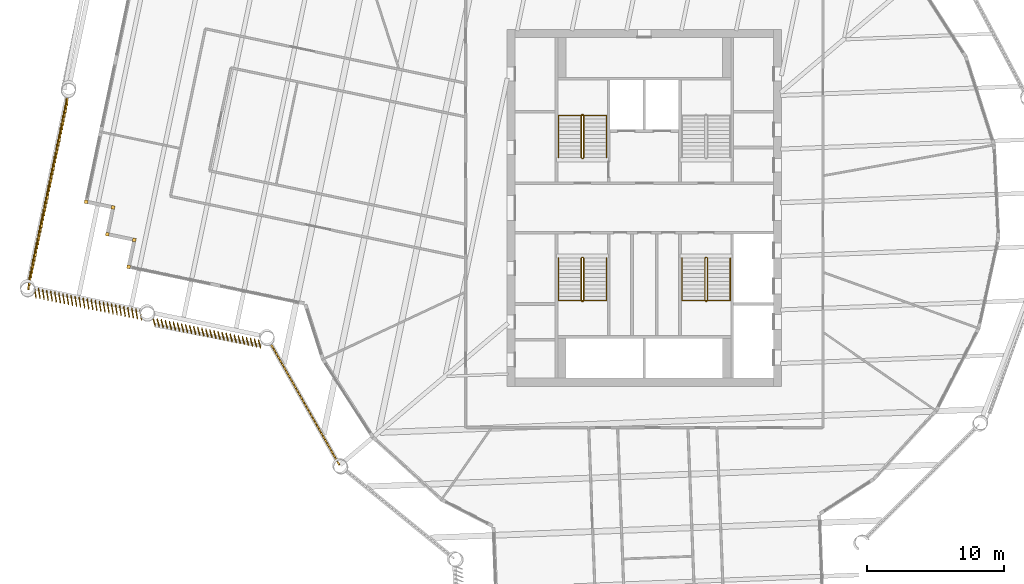
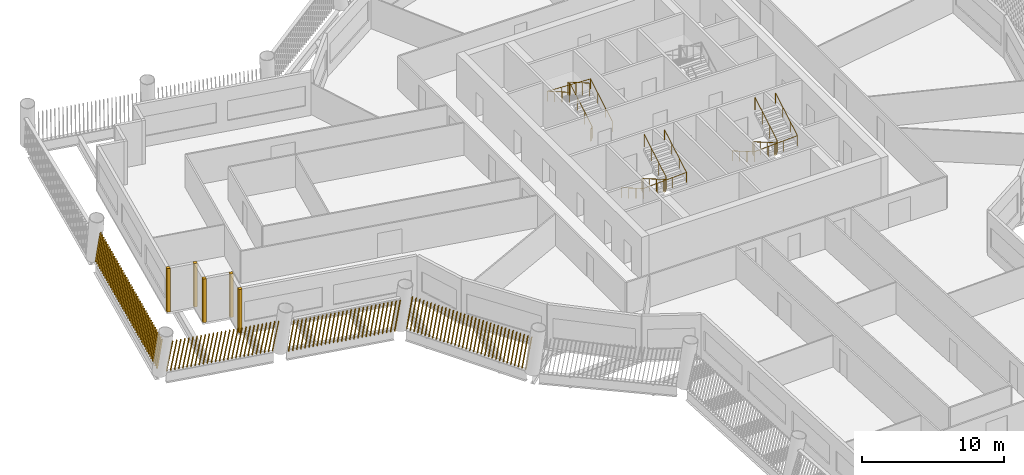
# One storey, part 11 of 14: 9 shading devices, 6 railings.
"""IFC4 building model written with IfcOpenShell, lengths in metres."""

import ifcopenshell
import ifcopenshell.guid

model = None  # the IFC model being written
_history = None  # IfcOwnerHistory: only IFC2X3 demands one
_inside = {}  # id of a spatial element -> (the spatial element, [elements in it])
_under = {}  # id of a project, library or spatial element -> (it, [spatial elements below it])
_declared = {}  # id of a project -> (the project, [libraries it declares])
_typed = {}  # id of a type object -> (the type object, [elements of that type])
_made_of = {}  # id of a material, layer set ... -> (it, [elements and type objects made of it])


def new_model(schema):
    """Start an empty IFC model of exactly this schema.

    Asked for "IFC4X3", IfcOpenShell would pick the latest addendum, in which some entities
    have other attributes; the version numbers below select the first issue.
    IFC2X3 requires an IfcOwnerHistory on every rooted entity: one is made here for all.
    """
    global model, _history
    if schema == "IFC4X3":
        model = ifcopenshell.file(schema_version=(4, 3, 0, 0))
    else:
        model = ifcopenshell.file(schema=schema)
    _inside.clear()
    _under.clear()
    _declared.clear()
    _typed.clear()
    _made_of.clear()
    _history = None
    if model.schema == "IFC2X3":
        org = make("IfcOrganization", Name="unknown")
        user = make(
            "IfcPersonAndOrganization",
            ThePerson=make("IfcPerson", FamilyName="unknown"),
            TheOrganization=org,
        )
        app = make(
            "IfcApplication",
            ApplicationDeveloper=org,
            Version="unknown",
            ApplicationFullName="unknown",
            ApplicationIdentifier="unknown",
        )
        _history = make(
            "IfcOwnerHistory",
            OwningUser=user,
            OwningApplication=app,
            ChangeAction="ADDED",
            CreationDate=0,
        )
    return model


def make(cls, **values):
    """One entity of the class cls with the attributes given. An attribute that is None is left unset."""
    return model.create_entity(
        cls, **{name: value for name, value in values.items() if value is not None}
    )


def rooted(cls, **values):
    """An entity with a GlobalId (a new one), such as an element, a storey or a relation."""
    return make(cls, GlobalId=ifcopenshell.guid.new(), OwnerHistory=_history, **values)


def si_unit(unit_type, name, prefix=None):
    """IfcSIUnit, for example si_unit("LENGTHUNIT", "METRE", prefix="MILLI")."""
    return make("IfcSIUnit", UnitType=unit_type, Prefix=prefix, Name=name)


def assignment(units):
    """IfcUnitAssignment: the units of a project."""
    return None if units is None else make("IfcUnitAssignment", Units=units)


def point(xyz):
    """IfcCartesianPoint."""
    return None if xyz is None else make("IfcCartesianPoint", Coordinates=xyz)


def direction(xyz):
    """IfcDirection."""
    return None if xyz is None else make("IfcDirection", DirectionRatios=xyz)


def frame(location, z_axis=None, x_axis=None):
    """IfcAxis2Placement3D, a coordinate frame: its origin and axes. An axis left out is left unset."""
    return make(
        "IfcAxis2Placement3D",
        Location=point(location),
        Axis=direction(z_axis),
        RefDirection=direction(x_axis),
    )


def frame_2d(location, x_axis=None):
    """IfcAxis2Placement2D, a coordinate frame in the plane: its origin and x axis."""
    return make(
        "IfcAxis2Placement2D", Location=point(location), RefDirection=direction(x_axis)
    )


def origin():
    """The frame at (0, 0, 0) with its axes left unset."""
    return frame((0.0, 0.0, 0.0))


def origin_2d():
    """The frame at (0, 0) in the plane with its x axis left unset."""
    return frame_2d((0.0, 0.0))


def place(relative_to, where):
    """IfcLocalPlacement: puts the frame where relative to a parent placement (None: the world)."""
    return make(
        "IfcLocalPlacement", PlacementRelTo=relative_to, RelativePlacement=where
    )


def context(
    kind, dimensions, precision=None, world=None, true_north=None, identifier=None
):
    """IfcGeometricRepresentationContext, for example the 3D "Model" context."""
    return make(
        "IfcGeometricRepresentationContext",
        ContextIdentifier=identifier,
        ContextType=kind,
        CoordinateSpaceDimension=dimensions,
        Precision=precision,
        WorldCoordinateSystem=world,
        TrueNorth=true_north,
    )


def subcontext(parent, identifier, kind, view, scale=None):
    """IfcGeometricRepresentationSubContext, for example "Body" below "Model"."""
    return make(
        "IfcGeometricRepresentationSubContext",
        ContextIdentifier=identifier,
        ContextType=kind,
        ParentContext=parent,
        TargetScale=scale,
        TargetView=view,
    )


def project(units=None, contexts=None):
    """IfcProject with its units and contexts."""
    return rooted(
        "IfcProject",
        Name="project",
        RepresentationContexts=contexts,
        UnitsInContext=assignment(units),
    )


def spatial(cls, under=None, at=None, **own):
    """A site, building, storey or space (cls), placed at a placement, below another one or the project."""
    s = rooted(cls, ObjectPlacement=at, **own)
    if under is not None:
        _under.setdefault(under.id(), (under, []))[1].append(s)
    return s


def profile(cls, at=None, kind="AREA", **sizes):
    """A parametric profile (cls). Its sizes go by their IFC names, for example OverallWidth=200.0."""
    return make(cls, ProfileType=kind, Position=at, **sizes)


def rectangle(**sizes):
    """IfcRectangleProfileDef."""
    return profile("IfcRectangleProfileDef", **sizes)


def circle(**sizes):
    """IfcCircleProfileDef."""
    return profile("IfcCircleProfileDef", **sizes)


def composite_profile(profiles, kind="AREA"):
    """IfcCompositeProfileDef: several profiles as one."""
    return make("IfcCompositeProfileDef", ProfileType=kind, Profiles=profiles)


def extrude(swept, where, along, depth):
    """IfcExtrudedAreaSolid: the profile swept, set in the frame where, extruded along a direction by depth."""
    return make(
        "IfcExtrudedAreaSolid",
        SweptArea=swept,
        Position=where,
        ExtrudedDirection=direction(along),
        Depth=depth,
    )


def shape(context_of_items, identifier, shape_type, items):
    """IfcShapeRepresentation: the items that make up one representation, for example the "Body"."""
    return make(
        "IfcShapeRepresentation",
        ContextOfItems=context_of_items,
        RepresentationIdentifier=identifier,
        RepresentationType=shape_type,
        Items=items,
    )


def material(Name=None, Category=None):
    """IfcMaterial."""
    return make("IfcMaterial", Name=Name, Category=Category)


def made_of(thing, what):
    """Note that an element or type object is made of a material, layer set ...; save() writes the relation."""
    if what is not None:
        _made_of.setdefault(what.id(), (what, []))[1].append(thing)
    return thing


def type_object(cls, material=None, **own):
    """A type object (cls), such as IfcWallType, which elements share."""
    return made_of(rooted(cls, **own), material)


def element(
    cls,
    number,
    at=None,
    inside=None,
    cuts=None,
    type_object=None,
    material=None,
    context=None,
    identifier="Body",
    shape_type=None,
    held_by="IfcProductDefinitionShape",
    body=None,
    shapes=None,
    **own,
):
    """One element of the class cls, such as IfcWall. Its Tag is "e" and its number.

    at: its placement. inside: the storey or other place that contains it. cuts: it is an
    opening in that element (IfcRelVoidsElement). A single representation is given by context,
    identifier, shape_type and body (its items); several are given by shapes. held_by: the class
    of the entity that holds the representations. save() writes the other relations.
    """
    e = rooted(cls, Tag="e%d" % number, ObjectPlacement=at, **own)
    if body is not None:
        shapes = [shape(context, identifier, shape_type, body)]
    if shapes is not None:
        e.Representation = make(held_by, Representations=shapes)
    if inside is not None:
        _inside.setdefault(inside.id(), (inside, []))[1].append(e)
    if cuts is not None:
        rooted(
            "IfcRelVoidsElement", RelatingBuildingElement=cuts, RelatedOpeningElement=e
        )
    if type_object is not None:
        _typed.setdefault(type_object.id(), (type_object, []))[1].append(e)
    return made_of(e, material)


def aggregate(whole, parts):
    """IfcRelAggregates: a whole, such as a stair, and the parts it consists of."""
    return rooted("IfcRelAggregates", RelatingObject=whole, RelatedObjects=parts)


def save(model, path):
    """Write the relations noted so far, then the file.

    IfcRelAggregates (storeys below a building ...), IfcRelContainedInSpatialStructure (elements
    in a storey), IfcRelDefinesByType, IfcRelAssociatesMaterial and IfcRelDeclares: one each for
    every whole, place, type object, material and project.
    """
    for whole, parts in _under.values():
        aggregate(whole, parts)
    for where, things in _inside.values():
        rooted(
            "IfcRelContainedInSpatialStructure",
            RelatedElements=things,
            RelatingStructure=where,
        )
    for kind, things in _typed.values():
        rooted("IfcRelDefinesByType", RelatedObjects=things, RelatingType=kind)
    for what, things in _made_of.values():
        rooted("IfcRelAssociatesMaterial", RelatedObjects=things, RelatingMaterial=what)
    for by, libraries in _declared.values():
        rooted("IfcRelDeclares", RelatingContext=by, RelatedDefinitions=libraries)
    model.write(path)


model = new_model("IFC4")

# Units and contexts
model_context = context("Model", 3, precision=1e-05, world=origin(), true_north=direction((0.0, 1.0)))
body_context = subcontext(model_context, "Body", "Model", "MODEL_VIEW")
ifc_project = project(units=[si_unit("LENGTHUNIT", "METRE"), si_unit("AREAUNIT", "SQUARE_METRE"), si_unit("VOLUMEUNIT", "CUBIC_METRE"), si_unit("PLANEANGLEUNIT", "RADIAN"), si_unit("MASSUNIT", "GRAM", prefix="KILO")], contexts=[model_context])

# Site, building, storey
site_placement = place(None, origin())
site = spatial("IfcSite", under=ifc_project, at=site_placement, CompositionType="ELEMENT")
building_placement = place(site_placement, origin())
building = spatial("IfcBuilding", under=site, at=building_placement, Name="Tarsis Ring Headquarters", CompositionType="ELEMENT")
storey_placement = place(building_placement, frame((0.0, 0.0, 235.5)))
storey = spatial("IfcBuildingStorey", under=building, at=storey_placement, Name="L55", CompositionType="ELEMENT", Elevation=235.5)

# Railings
ifc_material_1 = material(Name="Steel S355", Category="steel")
railing_type_1 = type_object("IfcRailingType", Name="Core stair guard 1100", PredefinedType="GUARDRAIL", material=ifc_material_1)
railing_1_placement = place(storey_placement, frame((-4.5400390625, 3.610107421875, 0.0)))
element("IfcRailing", 1, at=railing_1_placement, inside=storey, type_object=railing_type_1, Name="L55 ST1 stair guard 1", PredefinedType="GUARDRAIL", context=body_context, shape_type="SweptSolid", body=[
    extrude(circle(Radius=0.02392578125, at=origin_2d()), frame((0.0, 0.0, 1.076171875), z_axis=(1.0, 0.0, 0.0), x_axis=(0.0, 1.0, 0.0)), (0.0, 0.0, 1.0), 0.080078125),
    extrude(circle(Radius=0.02392578125, at=origin_2d()), frame((0.080078125, 0.0, 1.076171875), z_axis=(0.282336740067, 0.280959487676, 0.917250092119), x_axis=(-0.705375805398, 0.708833529934, 0.0)), (0.0, 0.0, 1.0), 0.17724609375),
    extrude(circle(Radius=0.02392578125, at=origin_2d()), frame((0.130126953125, 0.0498046875, 1.23876953125), z_axis=(0.0, 0.864920483161, 0.501908913857), x_axis=(-1.0, 0.0, 0.0)), (0.0, 0.0, 1.0), 3.56103515625),
    extrude(circle(Radius=0.02392578125, at=origin_2d()), frame((0.130126953125, 3.1298828125, 3.02587890625), z_axis=(-0.707106781187, 0.707106781187, 0.0), x_axis=(-0.707106781187, -0.707106781187, 0.0)), (0.0, 0.0, 1.0), 0.07080078125),
    extrude(circle(Radius=0.02392578125, at=origin_2d()), frame((0.080078125, 3.179931640625, 3.02587890625), z_axis=(-1.0, 0.0, 0.0), x_axis=(0.0, -1.0, 0.0)), (0.0, 0.0, 1.0), 0.080078125),
    extrude(circle(Radius=0.02392578125, at=origin_2d()), frame((0.0, 3.179931640625, 3.02587890625), z_axis=(-0.282227285176, -0.282227285176, 0.916894497205), x_axis=(0.707106781187, -0.707106781187, 0.0)), (0.0, 0.0, 1.0), 0.17724609375),
    extrude(circle(Radius=0.02392578125, at=origin_2d()), frame((-0.050048828125, 3.1298828125, 3.1884765625), z_axis=(0.0, -0.864920483161, 0.501908913857), x_axis=(1.0, 0.0, 0.0)), (0.0, 0.0, 1.0), 3.56103515625),
    extrude(circle(Radius=0.02099609375, at=origin_2d()), origin(), (0.0, 0.0, 1.0), 1.052001953125),
    extrude(circle(Radius=0.02099609375, at=origin_2d()), frame((0.080078125, 0.0, 0.0)), (0.0, 0.0, 1.0), 1.052001953125),
    extrude(circle(Radius=0.02099609375, at=origin_2d()), frame((0.130126953125, 0.0498046875, 0.16259765625)), (0.0, 0.0, 1.0), 1.052001953125),
    extrude(circle(Radius=0.02099609375, at=origin_2d()), frame((0.130126953125, 1.076416015625, 0.75830078125)), (0.0, 0.0, 1.0), 1.052001953125),
    extrude(circle(Radius=0.02099609375, at=origin_2d()), frame((0.130126953125, 2.103271484375, 1.354248046875)), (0.0, 0.0, 1.0), 1.052001953125),
    extrude(circle(Radius=0.02099609375, at=origin_2d()), frame((0.130126953125, 3.1298828125, 1.949951171875)), (0.0, 0.0, 1.0), 1.052001953125),
    extrude(circle(Radius=0.02099609375, at=origin_2d()), frame((0.080078125, 3.179931640625, 1.949951171875)), (0.0, 0.0, 1.0), 1.052001953125),
    extrude(circle(Radius=0.02099609375, at=origin_2d()), frame((0.0, 3.179931640625, 1.949951171875)), (0.0, 0.0, 1.0), 1.052001953125),
    extrude(circle(Radius=0.02099609375, at=origin_2d()), frame((-0.050048828125, 3.1298828125, 2.112548828125)), (0.0, 0.0, 1.0), 1.052001953125),
    extrude(circle(Radius=0.02099609375, at=origin_2d()), frame((-0.050048828125, 2.103271484375, 2.708251953125)), (0.0, 0.0, 1.0), 1.052001953125),
    extrude(circle(Radius=0.02099609375, at=origin_2d()), frame((-0.050048828125, 1.076416015625, 3.30419921875)), (0.0, 0.0, 1.0), 1.052001953125),
    extrude(circle(Radius=0.02099609375, at=origin_2d()), frame((-0.050048828125, 0.0498046875, 3.89990234375)), (0.0, 0.0, 1.0), 1.052001953125),
])
railing_2_placement = place(storey_placement, frame((-4.4599609375, -3.610107421875, 0.0)))
element("IfcRailing", 2, at=railing_2_placement, inside=storey, type_object=railing_type_1, Name="L55 ST3 stair guard 1", PredefinedType="GUARDRAIL", context=body_context, shape_type="SweptSolid", body=[
    extrude(circle(Radius=0.02392578125, at=origin_2d()), frame((0.0, 0.0, 1.076171875), z_axis=(-1.0, 0.0, 0.0), x_axis=(0.0, -1.0, 0.0)), (0.0, 0.0, 1.0), 0.080078125),
    extrude(circle(Radius=0.02392578125, at=origin_2d()), frame((-0.080078125, 0.0, 1.076171875), z_axis=(-0.282336740067, -0.280959487676, 0.917250092119), x_axis=(0.705375805398, -0.708833529934, 0.0)), (0.0, 0.0, 1.0), 0.17724609375),
    extrude(circle(Radius=0.02392578125, at=origin_2d()), frame((-0.130126953125, -0.0498046875, 1.23876953125), z_axis=(0.0, -0.864920483161, 0.501908913857), x_axis=(1.0, 0.0, 0.0)), (0.0, 0.0, 1.0), 3.56103515625),
    extrude(circle(Radius=0.02392578125, at=origin_2d()), frame((-0.130126953125, -3.1298828125, 3.02587890625), z_axis=(0.707106781187, -0.707106781187, 0.0), x_axis=(0.707106781187, 0.707106781187, 0.0)), (0.0, 0.0, 1.0), 0.07080078125),
    extrude(circle(Radius=0.02392578125, at=origin_2d()), frame((-0.080078125, -3.179931640625, 3.02587890625), z_axis=(1.0, 0.0, 0.0), x_axis=(0.0, 1.0, 0.0)), (0.0, 0.0, 1.0), 0.080078125),
    extrude(circle(Radius=0.02392578125, at=origin_2d()), frame((0.0, -3.179931640625, 3.02587890625), z_axis=(0.282227285176, 0.282227285176, 0.916894497205), x_axis=(-0.707106781187, 0.707106781187, 0.0)), (0.0, 0.0, 1.0), 0.17724609375),
    extrude(circle(Radius=0.02392578125, at=origin_2d()), frame((0.050048828125, -3.1298828125, 3.1884765625), z_axis=(0.0, 0.864920483161, 0.501908913857), x_axis=(-1.0, 0.0, 0.0)), (0.0, 0.0, 1.0), 3.56103515625),
    extrude(circle(Radius=0.02099609375, at=origin_2d()), origin(), (0.0, 0.0, 1.0), 1.052001953125),
    extrude(circle(Radius=0.02099609375, at=origin_2d()), frame((-0.080078125, 0.0, 0.0)), (0.0, 0.0, 1.0), 1.052001953125),
    extrude(circle(Radius=0.02099609375, at=origin_2d()), frame((-0.130126953125, -0.0498046875, 0.16259765625)), (0.0, 0.0, 1.0), 1.052001953125),
    extrude(circle(Radius=0.02099609375, at=origin_2d()), frame((-0.130126953125, -1.076416015625, 0.75830078125)), (0.0, 0.0, 1.0), 1.052001953125),
    extrude(circle(Radius=0.02099609375, at=origin_2d()), frame((-0.130126953125, -2.103271484375, 1.354248046875)), (0.0, 0.0, 1.0), 1.052001953125),
    extrude(circle(Radius=0.02099609375, at=origin_2d()), frame((-0.130126953125, -3.1298828125, 1.949951171875)), (0.0, 0.0, 1.0), 1.052001953125),
    extrude(circle(Radius=0.02099609375, at=origin_2d()), frame((-0.080078125, -3.179931640625, 1.949951171875)), (0.0, 0.0, 1.0), 1.052001953125),
    extrude(circle(Radius=0.02099609375, at=origin_2d()), frame((0.0, -3.179931640625, 1.949951171875)), (0.0, 0.0, 1.0), 1.052001953125),
    extrude(circle(Radius=0.02099609375, at=origin_2d()), frame((0.050048828125, -3.1298828125, 2.112548828125)), (0.0, 0.0, 1.0), 1.052001953125),
    extrude(circle(Radius=0.02099609375, at=origin_2d()), frame((0.050048828125, -2.103271484375, 2.708251953125)), (0.0, 0.0, 1.0), 1.052001953125),
    extrude(circle(Radius=0.02099609375, at=origin_2d()), frame((0.050048828125, -1.076416015625, 3.30419921875)), (0.0, 0.0, 1.0), 1.052001953125),
    extrude(circle(Radius=0.02099609375, at=origin_2d()), frame((0.050048828125, -0.0498046875, 3.89990234375)), (0.0, 0.0, 1.0), 1.052001953125),
])
railing_3_placement = place(storey_placement, frame((4.5400390625, -3.610107421875, 0.0)))
element("IfcRailing", 3, at=railing_3_placement, inside=storey, type_object=railing_type_1, Name="L55 ST4 stair guard 1", PredefinedType="GUARDRAIL", context=body_context, shape_type="SweptSolid", body=[
    extrude(circle(Radius=0.02392578125, at=origin_2d()), frame((0.0, 0.0, 1.076171875), z_axis=(-1.0, 0.0, 0.0), x_axis=(0.0, -1.0, 0.0)), (0.0, 0.0, 1.0), 0.080078125),
    extrude(circle(Radius=0.02392578125, at=origin_2d()), frame((-0.080078125, 0.0, 1.076171875), z_axis=(-0.282336740067, -0.280959487676, 0.917250092119), x_axis=(0.705375805398, -0.708833529934, 0.0)), (0.0, 0.0, 1.0), 0.17724609375),
    extrude(circle(Radius=0.02392578125, at=origin_2d()), frame((-0.130126953125, -0.0498046875, 1.23876953125), z_axis=(0.0, -0.864920483161, 0.501908913857), x_axis=(1.0, 0.0, 0.0)), (0.0, 0.0, 1.0), 3.56103515625),
    extrude(circle(Radius=0.02392578125, at=origin_2d()), frame((-0.130126953125, -3.1298828125, 3.02587890625), z_axis=(0.707106781187, -0.707106781187, 0.0), x_axis=(0.707106781187, 0.707106781187, 0.0)), (0.0, 0.0, 1.0), 0.07080078125),
    extrude(circle(Radius=0.02392578125, at=origin_2d()), frame((-0.080078125, -3.179931640625, 3.02587890625), z_axis=(1.0, 0.0, 0.0), x_axis=(0.0, 1.0, 0.0)), (0.0, 0.0, 1.0), 0.080078125),
    extrude(circle(Radius=0.02392578125, at=origin_2d()), frame((0.0, -3.179931640625, 3.02587890625), z_axis=(0.282227285176, 0.282227285176, 0.916894497205), x_axis=(-0.707106781187, 0.707106781187, 0.0)), (0.0, 0.0, 1.0), 0.17724609375),
    extrude(circle(Radius=0.02392578125, at=origin_2d()), frame((0.050048828125, -3.1298828125, 3.1884765625), z_axis=(0.0, 0.864920483161, 0.501908913857), x_axis=(-1.0, 0.0, 0.0)), (0.0, 0.0, 1.0), 3.56103515625),
    extrude(circle(Radius=0.02099609375, at=origin_2d()), origin(), (0.0, 0.0, 1.0), 1.052001953125),
    extrude(circle(Radius=0.02099609375, at=origin_2d()), frame((-0.080078125, 0.0, 0.0)), (0.0, 0.0, 1.0), 1.052001953125),
    extrude(circle(Radius=0.02099609375, at=origin_2d()), frame((-0.130126953125, -0.0498046875, 0.16259765625)), (0.0, 0.0, 1.0), 1.052001953125),
    extrude(circle(Radius=0.02099609375, at=origin_2d()), frame((-0.130126953125, -1.076416015625, 0.75830078125)), (0.0, 0.0, 1.0), 1.052001953125),
    extrude(circle(Radius=0.02099609375, at=origin_2d()), frame((-0.130126953125, -2.103271484375, 1.354248046875)), (0.0, 0.0, 1.0), 1.052001953125),
    extrude(circle(Radius=0.02099609375, at=origin_2d()), frame((-0.130126953125, -3.1298828125, 1.949951171875)), (0.0, 0.0, 1.0), 1.052001953125),
    extrude(circle(Radius=0.02099609375, at=origin_2d()), frame((-0.080078125, -3.179931640625, 1.949951171875)), (0.0, 0.0, 1.0), 1.052001953125),
    extrude(circle(Radius=0.02099609375, at=origin_2d()), frame((0.0, -3.179931640625, 1.949951171875)), (0.0, 0.0, 1.0), 1.052001953125),
    extrude(circle(Radius=0.02099609375, at=origin_2d()), frame((0.050048828125, -3.1298828125, 2.112548828125)), (0.0, 0.0, 1.0), 1.052001953125),
    extrude(circle(Radius=0.02099609375, at=origin_2d()), frame((0.050048828125, -2.103271484375, 2.708251953125)), (0.0, 0.0, 1.0), 1.052001953125),
    extrude(circle(Radius=0.02099609375, at=origin_2d()), frame((0.050048828125, -1.076416015625, 3.30419921875)), (0.0, 0.0, 1.0), 1.052001953125),
    extrude(circle(Radius=0.02099609375, at=origin_2d()), frame((0.050048828125, -0.0498046875, 3.89990234375)), (0.0, 0.0, 1.0), 1.052001953125),
])
railing_type_2 = type_object("IfcRailingType", Name="Core stair handrail 900", PredefinedType="HANDRAIL", material=ifc_material_1)
railing_4_placement = place(storey_placement, frame((-2.75, 3.659912109375, 0.16259765625)))
element("IfcRailing", 4, at=railing_4_placement, inside=storey, type_object=railing_type_2, Name="L55 ST1 stair handrail 1", PredefinedType="HANDRAIL", context=body_context, shape_type="SweptSolid", body=[
    extrude(circle(Radius=0.02392578125, at=origin_2d()), frame((0.0, 0.0, 0.8759765625), z_axis=(0.0, 0.864920483161, 0.501908913857), x_axis=(-1.0, 0.0, 0.0)), (0.0, 0.0, 1.0), 3.56103515625),
    extrude(circle(Radius=0.02392578125, at=origin_2d()), frame((0.0, 3.080078125, 2.6630859375), z_axis=(-0.998922641604, 0.0, 0.046406422943), x_axis=(0.0, -1.0, 0.0)), (0.0, 0.0, 1.0), 3.503662109375),
    extrude(circle(Radius=0.02392578125, at=origin_2d()), frame((-3.5, 3.080078125, 2.82568359375), z_axis=(0.0, -0.864920483161, 0.501908913857), x_axis=(1.0, 0.0, 0.0)), (0.0, 0.0, 1.0), 3.56103515625),
    extrude(circle(Radius=0.02099609375, at=origin_2d()), origin(), (0.0, 0.0, 1.0), 0.851806640625),
    extrude(circle(Radius=0.02099609375, at=origin_2d()), frame((0.0, 1.026611328125, 0.595703125)), (0.0, 0.0, 1.0), 0.851806640625),
    extrude(circle(Radius=0.02099609375, at=origin_2d()), frame((0.0, 2.053466796875, 1.191650390625)), (0.0, 0.0, 1.0), 0.851806640625),
    extrude(circle(Radius=0.02099609375, at=origin_2d()), frame((0.0, 3.080078125, 1.787353515625)), (0.0, 0.0, 1.0), 0.851806640625),
    extrude(circle(Radius=0.02099609375, at=origin_2d()), frame((-1.166748046875, 3.080078125, 1.841552734375)), (0.0, 0.0, 1.0), 0.851806640625),
    extrude(circle(Radius=0.02099609375, at=origin_2d()), frame((-2.333251953125, 3.080078125, 1.895751953125)), (0.0, 0.0, 1.0), 0.851806640625),
    extrude(circle(Radius=0.02099609375, at=origin_2d()), frame((-3.5, 3.080078125, 1.949951171875)), (0.0, 0.0, 1.0), 0.851806640625),
    extrude(circle(Radius=0.02099609375, at=origin_2d()), frame((-3.5, 2.053466796875, 2.545654296875)), (0.0, 0.0, 1.0), 0.851806640625),
    extrude(circle(Radius=0.02099609375, at=origin_2d()), frame((-3.5, 1.026611328125, 3.1416015625)), (0.0, 0.0, 1.0), 0.851806640625),
    extrude(circle(Radius=0.02099609375, at=origin_2d()), frame((-3.5, 0.0, 3.7373046875)), (0.0, 0.0, 1.0), 0.851806640625),
])
railing_5_placement = place(storey_placement, frame((-6.25, -3.659912109375, 0.16259765625)))
element("IfcRailing", 5, at=railing_5_placement, inside=storey, type_object=railing_type_2, Name="L55 ST3 stair handrail 1", PredefinedType="HANDRAIL", context=body_context, shape_type="SweptSolid", body=[
    extrude(circle(Radius=0.02392578125, at=origin_2d()), frame((0.0, 0.0, 0.8759765625), z_axis=(0.0, -0.864920483161, 0.501908913857), x_axis=(1.0, 0.0, 0.0)), (0.0, 0.0, 1.0), 3.56103515625),
    extrude(circle(Radius=0.02392578125, at=origin_2d()), frame((0.0, -3.080078125, 2.6630859375), z_axis=(0.998922641604, 0.0, 0.046406422943), x_axis=(0.0, 1.0, 0.0)), (0.0, 0.0, 1.0), 3.503662109375),
    extrude(circle(Radius=0.02392578125, at=origin_2d()), frame((3.5, -3.080078125, 2.82568359375), z_axis=(0.0, 0.864920483161, 0.501908913857), x_axis=(-1.0, 0.0, 0.0)), (0.0, 0.0, 1.0), 3.56103515625),
    extrude(circle(Radius=0.02099609375, at=origin_2d()), origin(), (0.0, 0.0, 1.0), 0.851806640625),
    extrude(circle(Radius=0.02099609375, at=origin_2d()), frame((0.0, -1.026611328125, 0.595703125)), (0.0, 0.0, 1.0), 0.851806640625),
    extrude(circle(Radius=0.02099609375, at=origin_2d()), frame((0.0, -2.053466796875, 1.191650390625)), (0.0, 0.0, 1.0), 0.851806640625),
    extrude(circle(Radius=0.02099609375, at=origin_2d()), frame((0.0, -3.080078125, 1.787353515625)), (0.0, 0.0, 1.0), 0.851806640625),
    extrude(circle(Radius=0.02099609375, at=origin_2d()), frame((1.166748046875, -3.080078125, 1.841552734375)), (0.0, 0.0, 1.0), 0.851806640625),
    extrude(circle(Radius=0.02099609375, at=origin_2d()), frame((2.333251953125, -3.080078125, 1.895751953125)), (0.0, 0.0, 1.0), 0.851806640625),
    extrude(circle(Radius=0.02099609375, at=origin_2d()), frame((3.5, -3.080078125, 1.949951171875)), (0.0, 0.0, 1.0), 0.851806640625),
    extrude(circle(Radius=0.02099609375, at=origin_2d()), frame((3.5, -2.053466796875, 2.545654296875)), (0.0, 0.0, 1.0), 0.851806640625),
    extrude(circle(Radius=0.02099609375, at=origin_2d()), frame((3.5, -1.026611328125, 3.1416015625)), (0.0, 0.0, 1.0), 0.851806640625),
    extrude(circle(Radius=0.02099609375, at=origin_2d()), frame((3.5, 0.0, 3.7373046875)), (0.0, 0.0, 1.0), 0.851806640625),
])
railing_6_placement = place(storey_placement, frame((2.75, -3.659912109375, 0.16259765625)))
element("IfcRailing", 6, at=railing_6_placement, inside=storey, type_object=railing_type_2, Name="L55 ST4 stair handrail 1", PredefinedType="HANDRAIL", context=body_context, shape_type="SweptSolid", body=[
    extrude(circle(Radius=0.02392578125, at=origin_2d()), frame((0.0, 0.0, 0.8759765625), z_axis=(0.0, -0.864920483161, 0.501908913857), x_axis=(1.0, 0.0, 0.0)), (0.0, 0.0, 1.0), 3.56103515625),
    extrude(circle(Radius=0.02392578125, at=origin_2d()), frame((0.0, -3.080078125, 2.6630859375), z_axis=(0.998922641604, 0.0, 0.046406422943), x_axis=(0.0, 1.0, 0.0)), (0.0, 0.0, 1.0), 3.503662109375),
    extrude(circle(Radius=0.02392578125, at=origin_2d()), frame((3.5, -3.080078125, 2.82568359375), z_axis=(0.0, 0.864920483161, 0.501908913857), x_axis=(-1.0, 0.0, 0.0)), (0.0, 0.0, 1.0), 3.56103515625),
    extrude(circle(Radius=0.02099609375, at=origin_2d()), origin(), (0.0, 0.0, 1.0), 0.851806640625),
    extrude(circle(Radius=0.02099609375, at=origin_2d()), frame((0.0, -1.026611328125, 0.595703125)), (0.0, 0.0, 1.0), 0.851806640625),
    extrude(circle(Radius=0.02099609375, at=origin_2d()), frame((0.0, -2.053466796875, 1.191650390625)), (0.0, 0.0, 1.0), 0.851806640625),
    extrude(circle(Radius=0.02099609375, at=origin_2d()), frame((0.0, -3.080078125, 1.787353515625)), (0.0, 0.0, 1.0), 0.851806640625),
    extrude(circle(Radius=0.02099609375, at=origin_2d()), frame((1.166748046875, -3.080078125, 1.841552734375)), (0.0, 0.0, 1.0), 0.851806640625),
    extrude(circle(Radius=0.02099609375, at=origin_2d()), frame((2.333251953125, -3.080078125, 1.895751953125)), (0.0, 0.0, 1.0), 0.851806640625),
    extrude(circle(Radius=0.02099609375, at=origin_2d()), frame((3.5, -3.080078125, 1.949951171875)), (0.0, 0.0, 1.0), 0.851806640625),
    extrude(circle(Radius=0.02099609375, at=origin_2d()), frame((3.5, -2.053466796875, 2.545654296875)), (0.0, 0.0, 1.0), 0.851806640625),
    extrude(circle(Radius=0.02099609375, at=origin_2d()), frame((3.5, -1.026611328125, 3.1416015625)), (0.0, 0.0, 1.0), 0.851806640625),
    extrude(circle(Radius=0.02099609375, at=origin_2d()), frame((3.5, 0.0, 3.7373046875)), (0.0, 0.0, 1.0), 0.851806640625),
])

# Shading devices
ifc_material_2 = material(Name="Terracotta baguette", Category="masonry")
shading_device_type_1 = type_object("IfcShadingDeviceType", Name="Terracotta baguette screen", PredefinedType="USERDEFINED", material=ifc_material_2)
shading_device_1_placement = place(storey_placement, frame((-41.997802734375, 8.262939453125, 0.0), z_axis=(0.0, 0.0, 1.0), x_axis=(-0.204493586908, -0.978858911986, 0.0)))
element("IfcShadingDevice", 7, at=shading_device_1_placement, inside=storey, type_object=shading_device_type_1, Name="Baguette screen L55-18", ObjectType="Terracotta baguette screen", PredefinedType="USERDEFINED", context=body_context, shape_type="SweptSolid", body=[
    extrude(composite_profile([rectangle(XDim=0.06005859375, YDim=0.1201171875, at=frame_2d((0.030029296875, 0.0))), rectangle(XDim=0.06005859375, YDim=0.1201171875, at=frame_2d((0.33544921875, 0.0))), rectangle(XDim=0.06005859375, YDim=0.1201171875, at=frame_2d((0.640625, 0.0))), rectangle(XDim=0.06005859375, YDim=0.1201171875, at=frame_2d((0.946044921875, 0.0))), rectangle(XDim=0.06005859375, YDim=0.1201171875, at=frame_2d((1.25146484375, 0.0))), rectangle(XDim=0.06005859375, YDim=0.1201171875, at=frame_2d((1.556640625, 0.0))), rectangle(XDim=0.06005859375, YDim=0.1201171875, at=frame_2d((1.862060546875, 0.0))), rectangle(XDim=0.06005859375, YDim=0.1201171875, at=frame_2d((2.16748046875, 0.0))), rectangle(XDim=0.06005859375, YDim=0.1201171875, at=frame_2d((2.47265625, 0.0))), rectangle(XDim=0.06005859375, YDim=0.1201171875, at=frame_2d((2.778076171875, 0.0))), rectangle(XDim=0.06005859375, YDim=0.1201171875, at=frame_2d((3.08349609375, 0.0))), rectangle(XDim=0.06005859375, YDim=0.1201171875, at=frame_2d((3.388671875, 0.0))), rectangle(XDim=0.06005859375, YDim=0.1201171875, at=frame_2d((3.694091796875, 0.0))), rectangle(XDim=0.06005859375, YDim=0.1201171875, at=frame_2d((3.99951171875, 0.0))), rectangle(XDim=0.06005859375, YDim=0.1201171875, at=frame_2d((4.3046875, 0.0))), rectangle(XDim=0.06005859375, YDim=0.1201171875, at=frame_2d((4.610107421875, 0.0))), rectangle(XDim=0.06005859375, YDim=0.1201171875, at=frame_2d((4.91552734375, 0.0))), rectangle(XDim=0.06005859375, YDim=0.1201171875, at=frame_2d((5.220703125, 0.0))), rectangle(XDim=0.06005859375, YDim=0.1201171875, at=frame_2d((5.526123046875, 0.0))), rectangle(XDim=0.06005859375, YDim=0.1201171875, at=frame_2d((5.83154296875, 0.0))), rectangle(XDim=0.06005859375, YDim=0.1201171875, at=frame_2d((6.13671875, 0.0))), rectangle(XDim=0.06005859375, YDim=0.1201171875, at=frame_2d((6.442138671875, 0.0))), rectangle(XDim=0.06005859375, YDim=0.1201171875, at=frame_2d((6.74755859375, 0.0))), rectangle(XDim=0.06005859375, YDim=0.1201171875, at=frame_2d((7.052734375, 0.0))), rectangle(XDim=0.06005859375, YDim=0.1201171875, at=frame_2d((7.358154296875, 0.0))), rectangle(XDim=0.06005859375, YDim=0.1201171875, at=frame_2d((7.66357421875, 0.0))), rectangle(XDim=0.06005859375, YDim=0.1201171875, at=frame_2d((7.96875, 0.0))), rectangle(XDim=0.06005859375, YDim=0.1201171875, at=frame_2d((8.274169921875, 0.0))), rectangle(XDim=0.06005859375, YDim=0.1201171875, at=frame_2d((8.57958984375, 0.0))), rectangle(XDim=0.06005859375, YDim=0.1201171875, at=frame_2d((8.884765625, 0.0))), rectangle(XDim=0.06005859375, YDim=0.1201171875, at=frame_2d((9.190185546875, 0.0))), rectangle(XDim=0.06005859375, YDim=0.1201171875, at=frame_2d((9.49560546875, 0.0))), rectangle(XDim=0.06005859375, YDim=0.1201171875, at=frame_2d((9.80078125, 0.0))), rectangle(XDim=0.06005859375, YDim=0.1201171875, at=frame_2d((10.106201171875, 0.0))), rectangle(XDim=0.06005859375, YDim=0.1201171875, at=frame_2d((10.41162109375, 0.0))), rectangle(XDim=0.06005859375, YDim=0.1201171875, at=frame_2d((10.716796875, 0.0))), rectangle(XDim=0.06005859375, YDim=0.1201171875, at=frame_2d((11.022216796875, 0.0))), rectangle(XDim=0.06005859375, YDim=0.1201171875, at=frame_2d((11.32763671875, 0.0))), rectangle(XDim=0.06005859375, YDim=0.1201171875, at=frame_2d((11.6328125, 0.0))), rectangle(XDim=0.06005859375, YDim=0.1201171875, at=frame_2d((11.938232421875, 0.0))), rectangle(XDim=0.06005859375, YDim=0.1201171875, at=frame_2d((12.24365234375, 0.0))), rectangle(XDim=0.06005859375, YDim=0.1201171875, at=frame_2d((12.548828125, 0.0))), rectangle(XDim=0.06005859375, YDim=0.1201171875, at=frame_2d((12.854248046875, 0.0))), rectangle(XDim=0.06005859375, YDim=0.1201171875, at=frame_2d((13.15966796875, 0.0))), rectangle(XDim=0.06005859375, YDim=0.1201171875, at=frame_2d((13.46484375, 0.0))), rectangle(XDim=0.06005859375, YDim=0.1201171875, at=frame_2d((13.770263671875, 0.0)))]), origin(), (0.235664955085, 0.042781680892, 0.970892247742), 3.038330078125),
])
shading_device_2_placement = place(storey_placement, frame((-44.4326171875, -5.837158203125, 0.0), z_axis=(0.0, 0.0, 1.0), x_axis=(0.978867364909, -0.204498408873, 0.0)))
element("IfcShadingDevice", 8, at=shading_device_2_placement, inside=storey, type_object=shading_device_type_1, Name="Baguette screen L55-19", ObjectType="Terracotta baguette screen", PredefinedType="USERDEFINED", context=body_context, shape_type="SweptSolid", body=[
    extrude(composite_profile([rectangle(XDim=0.06005859375, YDim=0.1201171875, at=frame_2d((0.030029296875, 0.0))), rectangle(XDim=0.06005859375, YDim=0.1201171875, at=frame_2d((0.33154296875, 0.0))), rectangle(XDim=0.06005859375, YDim=0.1201171875, at=frame_2d((0.63330078125, 0.0))), rectangle(XDim=0.06005859375, YDim=0.1201171875, at=frame_2d((0.934814453125, 0.0))), rectangle(XDim=0.06005859375, YDim=0.1201171875, at=frame_2d((1.236572265625, 0.0))), rectangle(XDim=0.06005859375, YDim=0.1201171875, at=frame_2d((1.5380859375, 0.0))), rectangle(XDim=0.06005859375, YDim=0.1201171875, at=frame_2d((1.83984375, 0.0))), rectangle(XDim=0.06005859375, YDim=0.1201171875, at=frame_2d((2.141357421875, 0.0))), rectangle(XDim=0.06005859375, YDim=0.1201171875, at=frame_2d((2.443115234375, 0.0))), rectangle(XDim=0.06005859375, YDim=0.1201171875, at=frame_2d((2.74462890625, 0.0))), rectangle(XDim=0.06005859375, YDim=0.1201171875, at=frame_2d((3.04638671875, 0.0))), rectangle(XDim=0.06005859375, YDim=0.1201171875, at=frame_2d((3.347900390625, 0.0))), rectangle(XDim=0.06005859375, YDim=0.1201171875, at=frame_2d((3.649658203125, 0.0))), rectangle(XDim=0.06005859375, YDim=0.1201171875, at=frame_2d((3.951171875, 0.0))), rectangle(XDim=0.06005859375, YDim=0.1201171875, at=frame_2d((4.252685546875, 0.0))), rectangle(XDim=0.06005859375, YDim=0.1201171875, at=frame_2d((4.554443359375, 0.0))), rectangle(XDim=0.06005859375, YDim=0.1201171875, at=frame_2d((4.85595703125, 0.0))), rectangle(XDim=0.06005859375, YDim=0.1201171875, at=frame_2d((5.15771484375, 0.0))), rectangle(XDim=0.06005859375, YDim=0.1201171875, at=frame_2d((5.459228515625, 0.0))), rectangle(XDim=0.06005859375, YDim=0.1201171875, at=frame_2d((5.760986328125, 0.0))), rectangle(XDim=0.06005859375, YDim=0.1201171875, at=frame_2d((6.0625, 0.0))), rectangle(XDim=0.06005859375, YDim=0.1201171875, at=frame_2d((6.3642578125, 0.0))), rectangle(XDim=0.06005859375, YDim=0.1201171875, at=frame_2d((6.665771484375, 0.0))), rectangle(XDim=0.06005859375, YDim=0.1201171875, at=frame_2d((6.967529296875, 0.0))), rectangle(XDim=0.06005859375, YDim=0.1201171875, at=frame_2d((7.26904296875, 0.0))), rectangle(XDim=0.06005859375, YDim=0.1201171875, at=frame_2d((7.57080078125, 0.0))), rectangle(XDim=0.06005859375, YDim=0.1201171875, at=frame_2d((7.872314453125, 0.0)))]), origin(), (0.08363327169, -0.211414490483, 0.97381178319), 3.029296875),
])
shading_device_3_placement = place(storey_placement, frame((-35.795166015625, -8.024658203125, 0.0), z_axis=(0.0, 0.0, 1.0), x_axis=(0.978867364909, -0.204498408873, 0.0)))
element("IfcShadingDevice", 9, at=shading_device_3_placement, inside=storey, type_object=shading_device_type_1, Name="Baguette screen L55-20", ObjectType="Terracotta baguette screen", PredefinedType="USERDEFINED", context=body_context, shape_type="SweptSolid", body=[
    extrude(composite_profile([rectangle(XDim=0.06005859375, YDim=0.1201171875, at=frame_2d((0.030029296875, 0.0))), rectangle(XDim=0.06005859375, YDim=0.1201171875, at=frame_2d((0.33154296875, 0.0))), rectangle(XDim=0.06005859375, YDim=0.1201171875, at=frame_2d((0.63330078125, 0.0))), rectangle(XDim=0.06005859375, YDim=0.1201171875, at=frame_2d((0.934814453125, 0.0))), rectangle(XDim=0.06005859375, YDim=0.1201171875, at=frame_2d((1.236572265625, 0.0))), rectangle(XDim=0.06005859375, YDim=0.1201171875, at=frame_2d((1.5380859375, 0.0))), rectangle(XDim=0.06005859375, YDim=0.1201171875, at=frame_2d((1.83984375, 0.0))), rectangle(XDim=0.06005859375, YDim=0.1201171875, at=frame_2d((2.141357421875, 0.0))), rectangle(XDim=0.06005859375, YDim=0.1201171875, at=frame_2d((2.443115234375, 0.0))), rectangle(XDim=0.06005859375, YDim=0.1201171875, at=frame_2d((2.74462890625, 0.0))), rectangle(XDim=0.06005859375, YDim=0.1201171875, at=frame_2d((3.04638671875, 0.0))), rectangle(XDim=0.06005859375, YDim=0.1201171875, at=frame_2d((3.347900390625, 0.0))), rectangle(XDim=0.06005859375, YDim=0.1201171875, at=frame_2d((3.649658203125, 0.0))), rectangle(XDim=0.06005859375, YDim=0.1201171875, at=frame_2d((3.951171875, 0.0))), rectangle(XDim=0.06005859375, YDim=0.1201171875, at=frame_2d((4.252685546875, 0.0))), rectangle(XDim=0.06005859375, YDim=0.1201171875, at=frame_2d((4.554443359375, 0.0))), rectangle(XDim=0.06005859375, YDim=0.1201171875, at=frame_2d((4.85595703125, 0.0))), rectangle(XDim=0.06005859375, YDim=0.1201171875, at=frame_2d((5.15771484375, 0.0))), rectangle(XDim=0.06005859375, YDim=0.1201171875, at=frame_2d((5.459228515625, 0.0))), rectangle(XDim=0.06005859375, YDim=0.1201171875, at=frame_2d((5.760986328125, 0.0))), rectangle(XDim=0.06005859375, YDim=0.1201171875, at=frame_2d((6.0625, 0.0))), rectangle(XDim=0.06005859375, YDim=0.1201171875, at=frame_2d((6.3642578125, 0.0))), rectangle(XDim=0.06005859375, YDim=0.1201171875, at=frame_2d((6.665771484375, 0.0))), rectangle(XDim=0.06005859375, YDim=0.1201171875, at=frame_2d((6.967529296875, 0.0))), rectangle(XDim=0.06005859375, YDim=0.1201171875, at=frame_2d((7.26904296875, 0.0))), rectangle(XDim=0.06005859375, YDim=0.1201171875, at=frame_2d((7.57080078125, 0.0))), rectangle(XDim=0.06005859375, YDim=0.1201171875, at=frame_2d((7.872314453125, 0.0)))]), origin(), (0.086078232299, -0.163649809733, 0.982755960398), 3.001708984375),
])
shading_device_4_placement = place(storey_placement, frame((-27.24755859375, -9.810791015625, 0.0), z_axis=(0.0, 0.0, 1.0), x_axis=(0.492667083073, -0.870231105559, 0.0)))
element("IfcShadingDevice", 10, at=shading_device_4_placement, inside=storey, type_object=shading_device_type_1, Name="Baguette screen L55-21", ObjectType="Terracotta baguette screen", PredefinedType="USERDEFINED", context=body_context, shape_type="SweptSolid", body=[
    extrude(composite_profile([rectangle(XDim=0.06005859375, YDim=0.1201171875, at=frame_2d((0.030029296875, 0.0))), rectangle(XDim=0.06005859375, YDim=0.1201171875, at=frame_2d((0.33349609375, 0.0))), rectangle(XDim=0.06005859375, YDim=0.1201171875, at=frame_2d((0.636962890625, 0.0))), rectangle(XDim=0.06005859375, YDim=0.1201171875, at=frame_2d((0.9404296875, 0.0))), rectangle(XDim=0.06005859375, YDim=0.1201171875, at=frame_2d((1.243896484375, 0.0))), rectangle(XDim=0.06005859375, YDim=0.1201171875, at=frame_2d((1.54736328125, 0.0))), rectangle(XDim=0.06005859375, YDim=0.1201171875, at=frame_2d((1.85107421875, 0.0))), rectangle(XDim=0.06005859375, YDim=0.1201171875, at=frame_2d((2.154541015625, 0.0))), rectangle(XDim=0.06005859375, YDim=0.1201171875, at=frame_2d((2.4580078125, 0.0))), rectangle(XDim=0.06005859375, YDim=0.1201171875, at=frame_2d((2.761474609375, 0.0))), rectangle(XDim=0.06005859375, YDim=0.1201171875, at=frame_2d((3.06494140625, 0.0))), rectangle(XDim=0.06005859375, YDim=0.1201171875, at=frame_2d((3.368408203125, 0.0))), rectangle(XDim=0.06005859375, YDim=0.1201171875, at=frame_2d((3.671875, 0.0))), rectangle(XDim=0.06005859375, YDim=0.1201171875, at=frame_2d((3.975341796875, 0.0))), rectangle(XDim=0.06005859375, YDim=0.1201171875, at=frame_2d((4.27880859375, 0.0))), rectangle(XDim=0.06005859375, YDim=0.1201171875, at=frame_2d((4.582275390625, 0.0))), rectangle(XDim=0.06005859375, YDim=0.1201171875, at=frame_2d((4.8857421875, 0.0))), rectangle(XDim=0.06005859375, YDim=0.1201171875, at=frame_2d((5.189453125, 0.0))), rectangle(XDim=0.06005859375, YDim=0.1201171875, at=frame_2d((5.492919921875, 0.0))), rectangle(XDim=0.06005859375, YDim=0.1201171875, at=frame_2d((5.79638671875, 0.0))), rectangle(XDim=0.06005859375, YDim=0.1201171875, at=frame_2d((6.099853515625, 0.0))), rectangle(XDim=0.06005859375, YDim=0.1201171875, at=frame_2d((6.4033203125, 0.0))), rectangle(XDim=0.06005859375, YDim=0.1201171875, at=frame_2d((6.706787109375, 0.0))), rectangle(XDim=0.06005859375, YDim=0.1201171875, at=frame_2d((7.01025390625, 0.0))), rectangle(XDim=0.06005859375, YDim=0.1201171875, at=frame_2d((7.313720703125, 0.0))), rectangle(XDim=0.06005859375, YDim=0.1201171875, at=frame_2d((7.6171875, 0.0))), rectangle(XDim=0.06005859375, YDim=0.1201171875, at=frame_2d((7.920654296875, 0.0))), rectangle(XDim=0.06005859375, YDim=0.1201171875, at=frame_2d((8.224365234375, 0.0))), rectangle(XDim=0.06005859375, YDim=0.1201171875, at=frame_2d((8.52783203125, 0.0))), rectangle(XDim=0.06005859375, YDim=0.1201171875, at=frame_2d((8.831298828125, 0.0))), rectangle(XDim=0.06005859375, YDim=0.1201171875, at=frame_2d((9.134765625, 0.0))), rectangle(XDim=0.06005859375, YDim=0.1201171875, at=frame_2d((9.438232421875, 0.0))), rectangle(XDim=0.06005859375, YDim=0.1201171875, at=frame_2d((9.74169921875, 0.0)))]), origin(), (0.160033940606, 0.001338947818, 0.987110604275), 2.988525390625),
])
shading_device_type_2 = type_object("IfcShadingDeviceType", Name="Terracotta corner baguette 250x250", PredefinedType="USERDEFINED", material=ifc_material_2)
for number, where, z_axis, x_axis, name in (
    (11, (-37.545166015625, -4.287841796875, 0.0), (0.0, 0.0, 1.0), (-0.204495607646, -0.978867481559, 0.0), "Corner baguette L55-01"),
    (12, (-40.642822265625, 0.44580078125, 0.0), (0.0, 0.0, 1.0), (-0.204496068926, -0.978867385193, 0.0), "Corner baguette L55-37"),
    (13, (-38.68505859375, 0.03662109375, 0.0), (0.0, 0.0, 1.0), (0.978867403038, -0.204495983504, 0.0), "Corner baguette L55-38"),
    (14, (-39.093994140625, -1.921142578125, 0.0), (0.0, 0.0, 1.0), (-0.204496461869, -0.978867303102, 0.0), "Corner baguette L55-39"),
    (15, (-37.13623046875, -2.330078125, 0.0), (0.0, 0.0, 1.0), (0.978867303102, -0.204496461869, 0.0), "Corner baguette L55-40"),
):
    element("IfcShadingDevice", number, at=place(storey_placement, frame(where, z_axis=z_axis, x_axis=x_axis)), inside=storey, type_object=shading_device_type_2, Name=name, ObjectType="Terracotta corner baguette", PredefinedType="USERDEFINED", context=body_context, shape_type="SweptSolid", body=[
        extrude(rectangle(XDim=0.25, YDim=0.25, at=origin_2d()), origin(), (0.0, 0.0, 1.0), 3.739990234375),
    ])

save(model, "model.ifc")
